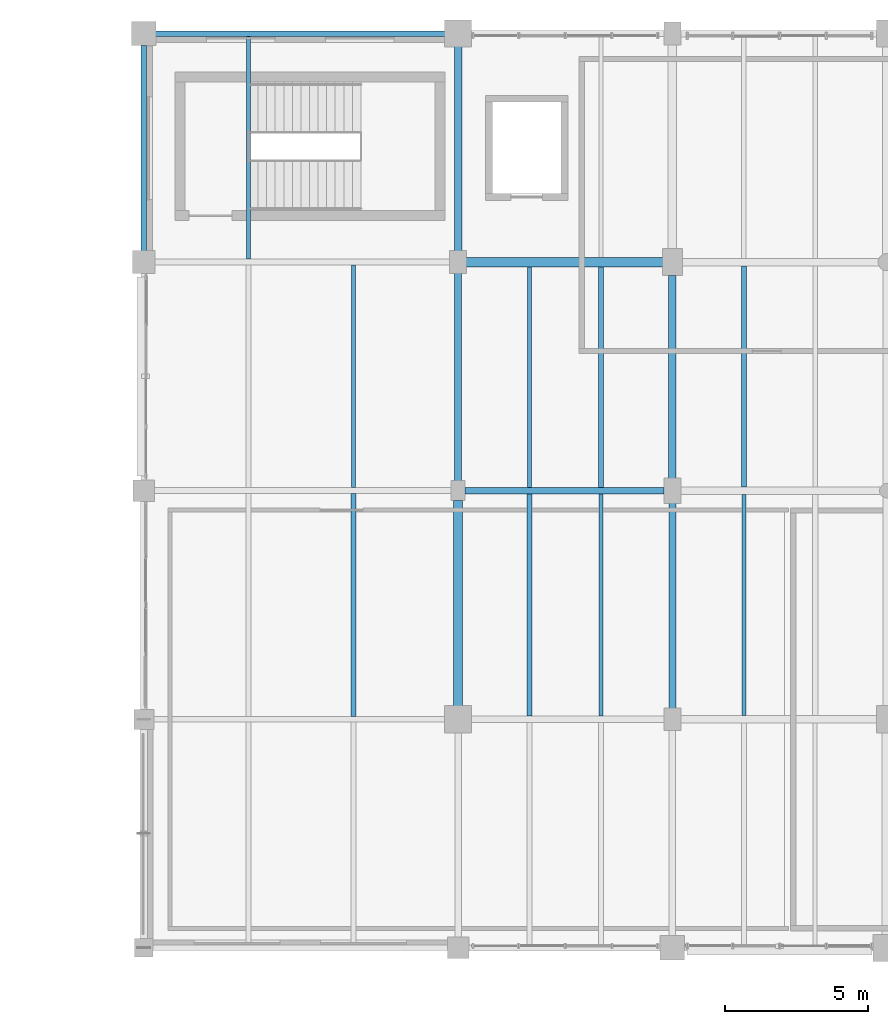
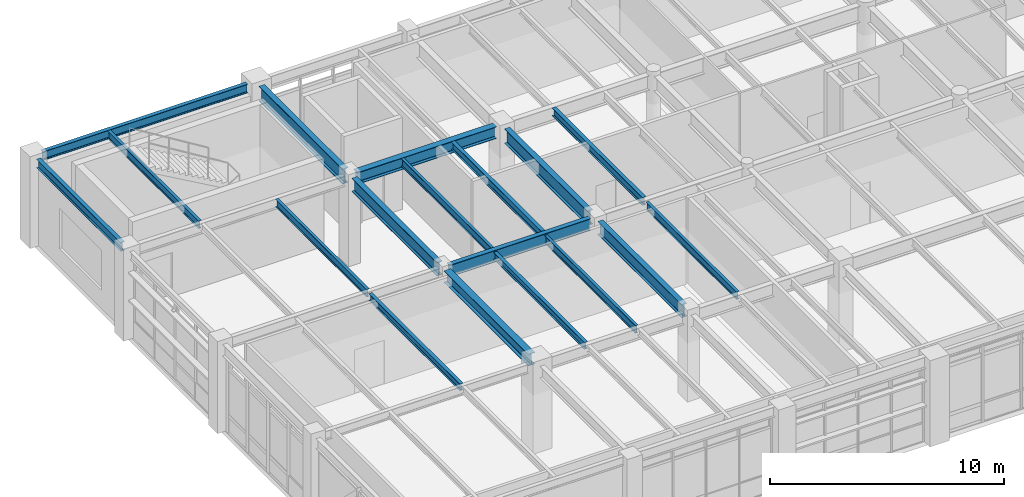
# One storey, part 67 of 200: 18 beams.
"""IFC4 building model written with IfcOpenShell, lengths in metres."""

from ifc_helpers import new_model, si_unit, direction, frame, origin, origin_2d, place, context, subcontext, project, spatial, i_section, extrude, material, material_profile, profile_set, type_object, element, save


model = new_model("IFC4")

# Units and contexts
model_context = context("Model", 3, precision=1e-05, world=origin(), true_north=direction((0.0, 1.0)))
body_context = subcontext(model_context, "Body", "Model", "MODEL_VIEW")
ifc_project = project(units=[si_unit("LENGTHUNIT", "METRE"), si_unit("AREAUNIT", "SQUARE_METRE"), si_unit("VOLUMEUNIT", "CUBIC_METRE"), si_unit("PLANEANGLEUNIT", "RADIAN"), si_unit("MASSUNIT", "GRAM", prefix="KILO"), si_unit("THERMODYNAMICTEMPERATUREUNIT", "KELVIN"), si_unit("POWERUNIT", "WATT")], contexts=[model_context])

# Site, building, storey
site_placement = place(None, origin())
site = spatial("IfcSite", under=ifc_project, at=site_placement, CompositionType="ELEMENT")
building_placement = place(site_placement, origin())
building = spatial("IfcBuilding", under=site, at=building_placement, Name="Tepalcoro Natatorium and Aquatics Centre", CompositionType="ELEMENT")
storey_placement = place(building_placement, frame((0.0, 0.0, 5.39990234375)))
storey = spatial("IfcBuildingStorey", under=building, at=storey_placement, Name="L01", CompositionType="ELEMENT", Elevation=5.39990234375)

# Beams
ifc_material = material(Name="Steel ASTM A992 Grade 50 (Fy 345 MPa)", Category="steel")
ifc_material_profile_1 = material_profile(ifc_material, i_section(OverallWidth=0.324951171875, OverallDepth=0.616943359375, WebThickness=0.013916015625, FlangeThickness=0.02197265625, FilletRadius=0.013916015625, at=origin_2d()), Name="W24X117")
ifc_profile_set_1 = profile_set([ifc_material_profile_1], Name="Steel ASTM A992 Grade 50 (Fy 345 MPa)")
beam_type_1 = type_object("IfcBeamType", Name="BM_W24x117", PredefinedType="BEAM", material=ifc_profile_set_1)
beam_1_placement = place(storey_placement, frame((21.284912109375, 110.0, 4.256591796875), z_axis=(1.0, 0.0, 0.0), x_axis=(0.0, 1.0, 0.0)))
element("IfcBeam", 1, at=beam_1_placement, inside=storey, type_object=beam_type_1, Name="V4 L01 Grid Girder X", PredefinedType="BEAM", context=body_context, shape_type="SweptSolid", body=[
    extrude(i_section(OverallWidth=0.324951171875, OverallDepth=0.616943359375, WebThickness=0.013916015625, FlangeThickness=0.02197265625, FilletRadius=0.013916015625, at=origin_2d()), origin(), (0.0, 0.0, 1.0), 6.880126953125),
])
beam_2_placement = place(storey_placement, frame((21.0, 94.4599609375, 4.256591796875), z_axis=(0.0, 1.0, 0.0), x_axis=(-1.0, 0.0, 0.0)))
element("IfcBeam", 2, at=beam_2_placement, inside=storey, type_object=beam_type_1, Name="V4 L01 Grid Girder Y", PredefinedType="BEAM", context=body_context, shape_type="SweptSolid", body=[
    extrude(i_section(OverallWidth=0.324951171875, OverallDepth=0.616943359375, WebThickness=0.013916015625, FlangeThickness=0.02197265625, FilletRadius=0.013916015625, at=origin_2d()), origin(), (0.0, 0.0, 1.0), 7.205078125),
])
ifc_material_profile_2 = material_profile(ifc_material, i_section(OverallWidth=0.22998046875, OverallDepth=0.616943359375, WebThickness=0.012939453125, FlangeThickness=0.02197265625, FilletRadius=0.013916015625, at=origin_2d()), Name="W24X94")
ifc_profile_set_2 = profile_set([ifc_material_profile_2], Name="Steel ASTM A992 Grade 50 (Fy 345 MPa)")
beam_type_2 = type_object("IfcBeamType", Name="BM_W24x94", PredefinedType="BEAM", material=ifc_profile_set_2)
beam_3_placement = place(storey_placement, frame((21.235107421875, 102.0, 4.256591796875), z_axis=(1.0, 0.0, 0.0), x_axis=(0.0, 1.0, 0.0)))
element("IfcBeam", 3, at=beam_3_placement, inside=storey, type_object=beam_type_2, Name="V4 L01 Grid Girder X", PredefinedType="BEAM", context=body_context, shape_type="SweptSolid", body=[
    extrude(i_section(OverallWidth=0.22998046875, OverallDepth=0.616943359375, WebThickness=0.012939453125, FlangeThickness=0.02197265625, FilletRadius=0.013916015625, at=origin_2d()), origin(), (0.0, 0.0, 1.0), 6.97998046875),
])
ifc_material_profile_3 = material_profile(ifc_material, i_section(OverallWidth=0.25390625, OverallDepth=0.68798828125, WebThickness=0.012939453125, FlangeThickness=0.02099609375, FilletRadius=0.013916015625, at=origin_2d()), Name="W27X102")
ifc_profile_set_3 = profile_set([ifc_material_profile_3], Name="Steel ASTM A992 Grade 50 (Fy 345 MPa)")
beam_type_3 = type_object("IfcBeamType", Name="BM_W27x102", PredefinedType="BEAM", material=ifc_profile_set_3)
beam_4_placement = place(storey_placement, frame((28.5, 94.385009765625, 4.22119140625), z_axis=(0.0, 1.0, 0.0), x_axis=(-1.0, 0.0, 0.0)))
element("IfcBeam", 4, at=beam_4_placement, inside=storey, type_object=beam_type_3, Name="V4 L01 Grid Girder Y", PredefinedType="BEAM", context=body_context, shape_type="SweptSolid", body=[
    extrude(i_section(OverallWidth=0.25390625, OverallDepth=0.68798828125, WebThickness=0.012939453125, FlangeThickness=0.02099609375, FilletRadius=0.013916015625, at=origin_2d()), origin(), (0.0, 0.0, 1.0), 7.179931640625),
])
ifc_material_profile_4 = material_profile(ifc_material, i_section(OverallWidth=0.25390625, OverallDepth=0.700927734375, WebThickness=0.014892578125, FlangeThickness=0.028076171875, FilletRadius=0.013916015625, at=origin_2d()), Name="W27X129")
ifc_profile_set_4 = profile_set([ifc_material_profile_4], Name="Steel ASTM A992 Grade 50 (Fy 345 MPa)")
beam_type_4 = type_object("IfcBeamType", Name="BM_W27x129", PredefinedType="BEAM", material=ifc_profile_set_4)
beam_5_placement = place(storey_placement, frame((21.0, 102.3349609375, 4.214599609375), z_axis=(0.0, 1.0, 0.0), x_axis=(-1.0, 0.0, 0.0)))
element("IfcBeam", 5, at=beam_5_placement, inside=storey, type_object=beam_type_4, Name="V4 L01 Grid Girder Y", PredefinedType="BEAM", context=body_context, shape_type="SweptSolid", body=[
    extrude(i_section(OverallWidth=0.25390625, OverallDepth=0.700927734375, WebThickness=0.014892578125, FlangeThickness=0.028076171875, FilletRadius=0.013916015625, at=origin_2d()), origin(), (0.0, 0.0, 1.0), 7.280029296875),
])
ifc_material_profile_5 = material_profile(ifc_material, i_section(OverallWidth=0.26708984375, OverallDepth=0.761962890625, WebThickness=0.013916015625, FlangeThickness=0.02197265625, FilletRadius=0.013916015625, at=origin_2d()), Name="W30X116")
ifc_profile_set_5 = profile_set([ifc_material_profile_5], Name="Steel ASTM A992 Grade 50 (Fy 345 MPa)")
beam_type_5 = type_object("IfcBeamType", Name="BM_W30x116", PredefinedType="BEAM", material=ifc_profile_set_5)
beam_6_placement = place(storey_placement, frame((28.5, 102.43505859375, 4.18408203125), z_axis=(0.0, 1.0, 0.0), x_axis=(-1.0, 0.0, 0.0)))
element("IfcBeam", 6, at=beam_6_placement, inside=storey, type_object=beam_type_5, Name="V4 L01 Grid Girder Y", PredefinedType="BEAM", context=body_context, shape_type="SweptSolid", body=[
    extrude(i_section(OverallWidth=0.26708984375, OverallDepth=0.761962890625, WebThickness=0.013916015625, FlangeThickness=0.02197265625, FilletRadius=0.013916015625, at=origin_2d()), origin(), (0.0, 0.0, 1.0), 7.10498046875),
])
ifc_material_profile_6 = material_profile(ifc_material, i_section(OverallWidth=0.26708984375, OverallDepth=0.780029296875, WebThickness=0.01708984375, FlangeThickness=0.030029296875, FilletRadius=0.013916015625, at=origin_2d()), Name="W30X148")
ifc_profile_set_6 = profile_set([ifc_material_profile_6], Name="Steel ASTM A992 Grade 50 (Fy 345 MPa)")
beam_type_6 = type_object("IfcBeamType", Name="BM_W30x148", PredefinedType="BEAM", material=ifc_profile_set_6)
beam_7_placement = place(storey_placement, frame((21.0, 110.385009765625, 4.175048828125), z_axis=(0.0, 1.0, 0.0), x_axis=(-1.0, 0.0, 0.0)))
element("IfcBeam", 7, at=beam_7_placement, inside=storey, type_object=beam_type_6, Name="V4 L01 Grid Girder Y", PredefinedType="BEAM", context=body_context, shape_type="SweptSolid", body=[
    extrude(i_section(OverallWidth=0.26708984375, OverallDepth=0.780029296875, WebThickness=0.01708984375, FlangeThickness=0.030029296875, FilletRadius=0.013916015625, at=origin_2d()), origin(), (0.0, 0.0, 1.0), 7.155029296875),
])
ifc_material_profile_7 = material_profile(ifc_material, i_section(OverallWidth=0.172119140625, OverallDepth=0.35791015625, WebThickness=0.008056640625, FlangeThickness=0.012939453125, FilletRadius=0.013916015625, at=origin_2d()), Name="W14X38")
ifc_profile_set_7 = profile_set([ifc_material_profile_7], Name="Steel ASTM A992 Grade 50 (Fy 345 MPa)")
beam_type_7 = type_object("IfcBeamType", Name="JS_W14x38", PredefinedType="JOIST", material=ifc_profile_set_7)
beam_8_placement = place(storey_placement, frame((17.333251953125, 94.096435546875, 4.30615234375), z_axis=(0.0, 1.0, 0.0), x_axis=(-1.0, 0.0, 0.0)))
element("IfcBeam", 8, at=beam_8_placement, inside=storey, type_object=beam_type_7, Name="V4 L01 Floor Joist", PredefinedType="JOIST", context=body_context, shape_type="SweptSolid", body=[
    extrude(i_section(OverallWidth=0.172119140625, OverallDepth=0.35791015625, WebThickness=0.008056640625, FlangeThickness=0.012939453125, FilletRadius=0.013916015625, at=origin_2d()), origin(), (0.0, 0.0, 1.0), 7.798583984375),
])
beam_9_placement = place(storey_placement, frame((23.5, 94.114013671875, 4.30615234375), z_axis=(0.0, 1.0, 0.0), x_axis=(-1.0, 0.0, 0.0)))
element("IfcBeam", 9, at=beam_9_placement, inside=storey, type_object=beam_type_7, Name="V4 L01 Floor Joist", PredefinedType="JOIST", context=body_context, shape_type="SweptSolid", body=[
    extrude(i_section(OverallWidth=0.172119140625, OverallDepth=0.35791015625, WebThickness=0.008056640625, FlangeThickness=0.012939453125, FilletRadius=0.013916015625, at=origin_2d()), origin(), (0.0, 0.0, 1.0), 7.77099609375),
])
ifc_material_profile_8 = material_profile(ifc_material, i_section(OverallWidth=0.139892578125, OverallDepth=0.404052734375, WebThickness=0.007080078125, FlangeThickness=0.010986328125, FilletRadius=0.013916015625, at=origin_2d()), Name="W16X31")
ifc_profile_set_8 = profile_set([ifc_material_profile_8], Name="Steel ASTM A992 Grade 50 (Fy 345 MPa)")
beam_type_8 = type_object("IfcBeamType", Name="JS_W16x31", PredefinedType="JOIST", material=ifc_profile_set_8)
beam_10_placement = place(storey_placement, frame((17.333251953125, 102.10498046875, 4.363037109375), z_axis=(0.0, 1.0, 0.0), x_axis=(-1.0, 0.0, 0.0)))
element("IfcBeam", 10, at=beam_10_placement, inside=storey, type_object=beam_type_8, Name="V4 L01 Floor Joist", PredefinedType="JOIST", context=body_context, shape_type="SweptSolid", body=[
    extrude(i_section(OverallWidth=0.139892578125, OverallDepth=0.404052734375, WebThickness=0.007080078125, FlangeThickness=0.010986328125, FilletRadius=0.013916015625, at=origin_2d()), origin(), (0.0, 0.0, 1.0), 7.7890625),
])
beam_11_placement = place(storey_placement, frame((13.666748046875, 110.10595703125, 4.363037109375), z_axis=(0.0, 1.0, 0.0), x_axis=(-1.0, 0.0, 0.0)))
element("IfcBeam", 11, at=beam_11_placement, inside=storey, type_object=beam_type_8, Name="V4 L01 Floor Joist", PredefinedType="JOIST", context=body_context, shape_type="SweptSolid", body=[
    extrude(i_section(OverallWidth=0.139892578125, OverallDepth=0.404052734375, WebThickness=0.007080078125, FlangeThickness=0.010986328125, FilletRadius=0.013916015625, at=origin_2d()), origin(), (0.0, 0.0, 1.0), 7.798583984375),
])
beam_12_placement = place(storey_placement, frame((26.0, 94.114013671875, 4.283203125), z_axis=(0.0, 1.0, 0.0), x_axis=(-1.0, 0.0, 0.0)))
element("IfcBeam", 12, at=beam_12_placement, inside=storey, type_object=beam_type_8, Name="V4 L01 Floor Joist", PredefinedType="JOIST", context=body_context, shape_type="SweptSolid", body=[
    extrude(i_section(OverallWidth=0.139892578125, OverallDepth=0.404052734375, WebThickness=0.007080078125, FlangeThickness=0.010986328125, FilletRadius=0.013916015625, at=origin_2d()), origin(), (0.0, 0.0, 1.0), 7.77099609375),
])
beam_13_placement = place(storey_placement, frame((23.5, 102.114990234375, 4.363037109375), z_axis=(0.0, 1.0, 0.0), x_axis=(-1.0, 0.0, 0.0)))
element("IfcBeam", 13, at=beam_13_placement, inside=storey, type_object=beam_type_8, Name="V4 L01 Floor Joist", PredefinedType="JOIST", context=body_context, shape_type="SweptSolid", body=[
    extrude(i_section(OverallWidth=0.139892578125, OverallDepth=0.404052734375, WebThickness=0.007080078125, FlangeThickness=0.010986328125, FilletRadius=0.013916015625, at=origin_2d()), origin(), (0.0, 0.0, 1.0), 7.722412109375),
])
beam_14_placement = place(storey_placement, frame((31.0, 94.126953125, 4.283203125), z_axis=(0.0, 1.0, 0.0), x_axis=(-1.0, 0.0, 0.0)))
element("IfcBeam", 14, at=beam_14_placement, inside=storey, type_object=beam_type_8, Name="V4 L01 Floor Joist", PredefinedType="JOIST", context=body_context, shape_type="SweptSolid", body=[
    extrude(i_section(OverallWidth=0.139892578125, OverallDepth=0.404052734375, WebThickness=0.007080078125, FlangeThickness=0.010986328125, FilletRadius=0.013916015625, at=origin_2d()), origin(), (0.0, 0.0, 1.0), 7.74609375),
])
ifc_material_profile_9 = material_profile(ifc_material, i_section(OverallWidth=0.178955078125, OverallDepth=0.409912109375, WebThickness=0.009033203125, FlangeThickness=0.013916015625, FilletRadius=0.013916015625, at=origin_2d()), Name="W16X45")
ifc_profile_set_9 = profile_set([ifc_material_profile_9], Name="Steel ASTM A992 Grade 50 (Fy 345 MPa)")
beam_type_9 = type_object("IfcBeamType", Name="JS_W16x45", PredefinedType="JOIST", material=ifc_profile_set_9)
beam_15_placement = place(storey_placement, frame((26.0, 102.114990234375, 4.360107421875), z_axis=(0.0, 1.0, 0.0), x_axis=(-1.0, 0.0, 0.0)))
element("IfcBeam", 15, at=beam_15_placement, inside=storey, type_object=beam_type_9, Name="V4 L01 Floor Joist", PredefinedType="JOIST", context=body_context, shape_type="SweptSolid", body=[
    extrude(i_section(OverallWidth=0.178955078125, OverallDepth=0.409912109375, WebThickness=0.009033203125, FlangeThickness=0.013916015625, FilletRadius=0.013916015625, at=origin_2d()), origin(), (0.0, 0.0, 1.0), 7.722412109375),
])
beam_16_placement = place(storey_placement, frame((31.0, 102.126953125, 4.360107421875), z_axis=(0.0, 1.0, 0.0), x_axis=(-1.0, 0.0, 0.0)))
element("IfcBeam", 16, at=beam_16_placement, inside=storey, type_object=beam_type_9, Name="V4 L01 Floor Joist", PredefinedType="JOIST", context=body_context, shape_type="SweptSolid", body=[
    extrude(i_section(OverallWidth=0.178955078125, OverallDepth=0.409912109375, WebThickness=0.009033203125, FlangeThickness=0.013916015625, FilletRadius=0.013916015625, at=origin_2d()), origin(), (0.0, 0.0, 1.0), 7.739501953125),
])
ifc_material_profile_10 = material_profile(ifc_material, i_section(OverallWidth=0.19091796875, OverallDepth=0.4599609375, WebThickness=0.010009765625, FlangeThickness=0.01611328125, FilletRadius=0.013916015625, at=origin_2d()), Name="W18X55")
ifc_profile_set_10 = profile_set([ifc_material_profile_10], Name="Steel ASTM A992 Grade 50 (Fy 345 MPa)")
beam_type_10 = type_object("IfcBeamType", Name="SP_W18x55", PredefinedType="SPANDREL", material=ifc_profile_set_10)
beam_17_placement = place(storey_placement, frame((10.409912109375, 118.0, 4.335205078125), z_axis=(1.0, 0.0, 0.0), x_axis=(0.0, 1.0, 0.0)))
element("IfcBeam", 17, at=beam_17_placement, inside=storey, type_object=beam_type_10, Name="V4 L01 Grid Girder X", PredefinedType="SPANDREL", context=body_context, shape_type="SweptSolid", body=[
    extrude(i_section(OverallWidth=0.19091796875, OverallDepth=0.4599609375, WebThickness=0.010009765625, FlangeThickness=0.01611328125, FilletRadius=0.013916015625, at=origin_2d()), origin(), (0.0, 0.0, 1.0), 10.130126953125),
])
beam_18_placement = place(storey_placement, frame((10.0, 110.385009765625, 4.335205078125), z_axis=(0.0, 1.0, 0.0), x_axis=(-1.0, 0.0, 0.0)))
element("IfcBeam", 18, at=beam_18_placement, inside=storey, type_object=beam_type_10, Name="V4 L01 Grid Girder Y", PredefinedType="SPANDREL", context=body_context, shape_type="SweptSolid", body=[
    extrude(i_section(OverallWidth=0.19091796875, OverallDepth=0.4599609375, WebThickness=0.010009765625, FlangeThickness=0.01611328125, FilletRadius=0.013916015625, at=origin_2d()), origin(), (0.0, 0.0, 1.0), 7.205078125),
])

save(model, "model.ifc")
